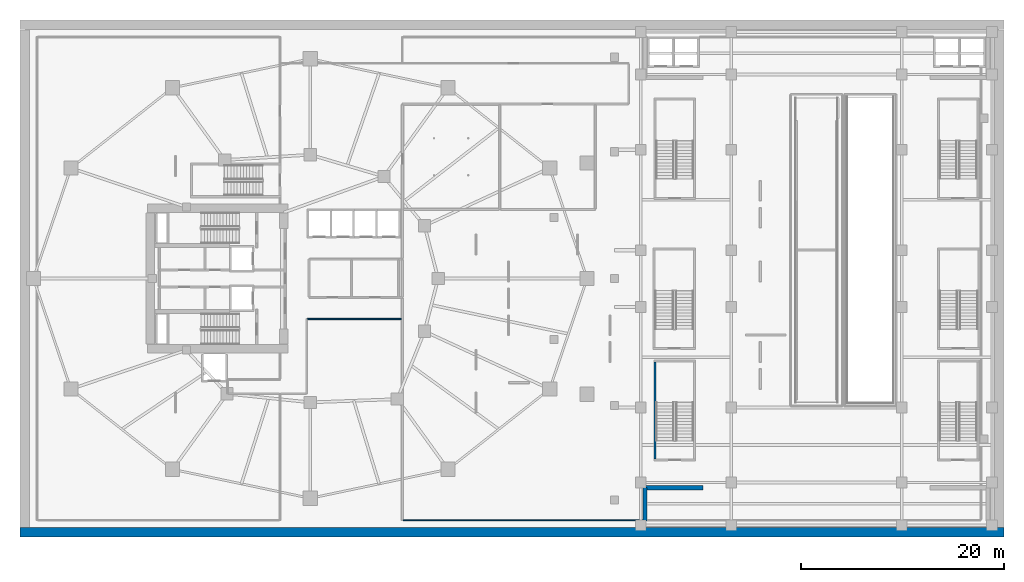
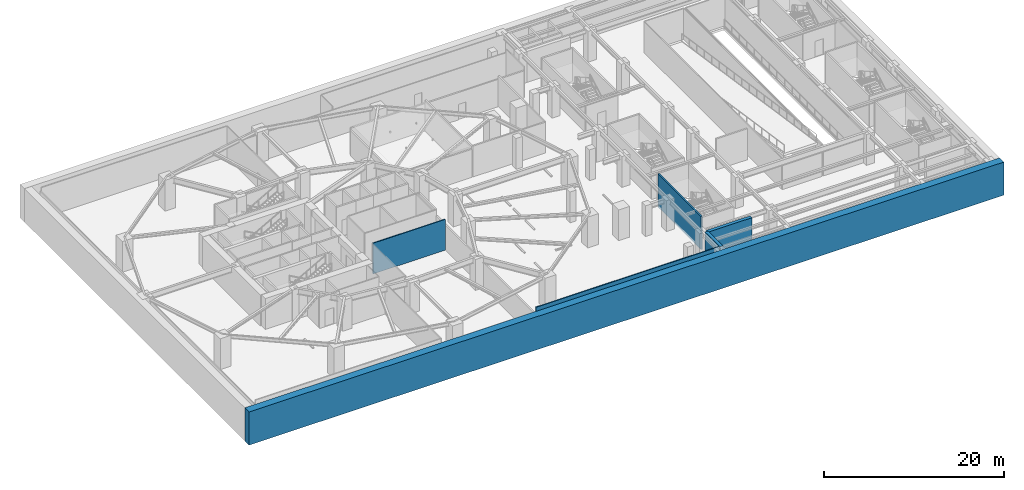
# One storey, part 6 of 16: 6 walls.
"""IFC4 building model written with IfcOpenShell, lengths in metres."""

from ifc_helpers import new_model, si_unit, direction, frame, frame_2d, origin, place, context, subcontext, project, spatial, rectangle, extrude, material, layer, layer_set, type_object, element, save


model = new_model("IFC4")

# Units and contexts
model_context = context("Model", 3, precision=1e-05, world=origin(), true_north=direction((0.0, 1.0)))
body_context = subcontext(model_context, "Body", "Model", "MODEL_VIEW")
ifc_project = project(units=[si_unit("LENGTHUNIT", "METRE"), si_unit("AREAUNIT", "SQUARE_METRE"), si_unit("VOLUMEUNIT", "CUBIC_METRE"), si_unit("PLANEANGLEUNIT", "RADIAN"), si_unit("MASSUNIT", "GRAM", prefix="KILO")], contexts=[model_context])

# Site, building, storey
site_placement = place(None, origin())
site = spatial("IfcSite", under=ifc_project, at=site_placement, CompositionType="ELEMENT")
building_placement = place(site_placement, origin())
building = spatial("IfcBuilding", under=site, at=building_placement, Name="Kolvaren Gate Tower and Convention Centre", CompositionType="ELEMENT")
storey_placement = place(building_placement, frame((0.0, 0.0, -9.0)))
storey = spatial("IfcBuildingStorey", under=building, at=storey_placement, Name="B2", CompositionType="ELEMENT", Elevation=-9.0)

# Walls
ifc_material_1 = material(Name="Fire-Rated Acoustic Gypsum Stud Partition", Category="gypsum")
ifc_layer_1 = layer(ifc_material_1, 0.1201171875)
ifc_layer_set_1 = layer_set([ifc_layer_1], Name="Fire-Rated Acoustic Gypsum Stud Partition")
wall_type_1 = type_object("IfcWallType", Name="ARCH-WL-PART-120", PredefinedType="PARTITIONING", material=ifc_layer_set_1)
wall_1_placement = place(storey_placement, frame((29.842041015625, 23.02001953125, 0.0), z_axis=(0.0, 0.0, 1.0), x_axis=(1.0, 0.0, 0.0)))
element("IfcWall", 1, at=wall_1_placement, inside=storey, type_object=wall_type_1, Name="Interior Partition WL-B2-INT-026", PredefinedType="PARTITIONING", context=body_context, shape_type="SweptSolid", body=[
    extrude(rectangle(XDim=9.265869140625, YDim=0.1201171875, at=frame_2d((4.6328125, 0.0))), origin(), (0.0, 0.0, 1.0), 4.179931640625),
])
wall_2_placement = place(storey_placement, frame((39.2919921875, 3.199951171875, 0.0), z_axis=(0.0, 0.0, 1.0), x_axis=(1.0, 0.0, 0.0)))
element("IfcWall", 2, at=wall_2_placement, inside=storey, type_object=wall_type_1, Name="Interior Partition WL-B2-INT-033", PredefinedType="PARTITIONING", context=body_context, shape_type="SweptSolid", body=[
    extrude(rectangle(XDim=23.595947265625, YDim=0.1201171875, at=frame_2d((11.7978515625, 0.0))), origin(), (0.0, 0.0, 1.0), 4.179931640625),
])
ifc_material_2 = material(Name="Concrete C50/60", Category="concrete")
ifc_layer_2 = layer(ifc_material_2, 0.419921875)
ifc_layer_set_2 = layer_set([ifc_layer_2], Name="Concrete C50/60")
wall_type_2 = type_object("IfcWallType", Name="STR-WL-CONV-420", PredefinedType="SHEAR", material=ifc_layer_set_2)
wall_3_placement = place(storey_placement, frame((63.10009765625, 3.10009765625, -0.320068359375), z_axis=(0.0, 0.0, 1.0), x_axis=(0.0, 1.0, 0.0)))
element("IfcWall", 3, at=wall_3_placement, inside=storey, type_object=wall_type_2, Name="Convention B2 Shear Core Wall CCSW-W", PredefinedType="SHEAR", context=body_context, shape_type="SweptSolid", body=[
    extrude(rectangle(XDim=3.2998046875, YDim=0.419921875, at=frame_2d((1.64990234375, 0.0))), origin(), (0.0, 0.0, 1.0), 4.5),
])
wall_4_placement = place(storey_placement, frame((63.10009765625, 6.39990234375, -0.320068359375), z_axis=(0.0, 0.0, 1.0), x_axis=(1.0, 0.0, 0.0)))
element("IfcWall", 4, at=wall_4_placement, inside=storey, type_object=wall_type_2, Name="Convention B2 Shear Core Wall CCSW-N", PredefinedType="SHEAR", context=body_context, shape_type="SweptSolid", body=[
    extrude(rectangle(XDim=5.699951171875, YDim=0.419921875, at=frame_2d((2.85009765625, 0.0))), origin(), (0.0, 0.0, 1.0), 4.5),
])
ifc_layer_3 = layer(ifc_material_2, 0.949951171875)
ifc_layer_set_3 = layer_set([ifc_layer_3], Name="Concrete C50/60")
wall_type_3 = type_object("IfcWallType", Name="STR-WL-DIAPH-950", PredefinedType="USERDEFINED", material=ifc_layer_set_3)
wall_5_placement = place(storey_placement, frame((1.52490234375, 2.0, -0.320068359375), z_axis=(0.0, 0.0, 1.0), x_axis=(1.0, 0.0, 0.0)))
element("IfcWall", 5, at=wall_5_placement, inside=storey, type_object=wall_type_3, Name="Basement B2 S Perimeter Diaphragm Wall", ObjectType="RETAINING WALL", PredefinedType="USERDEFINED", context=body_context, shape_type="SweptSolid", body=[
    extrude(rectangle(XDim=96.9501953125, YDim=0.949951171875, at=frame_2d((48.47509765625, 0.0))), origin(), (0.0, 0.0, 1.0), 4.5),
])
ifc_layer_4 = layer(ifc_material_2, 0.199951171875)
ifc_layer_set_4 = layer_set([ifc_layer_4], Name="Concrete C50/60")
wall_type_4 = type_object("IfcWallType", Name="STR-WL-SHAFT-200", PredefinedType="SHEAR", material=ifc_layer_set_4)
wall_6_placement = place(storey_placement, frame((64.10009765625, 9.201904296875, -0.320068359375), z_axis=(0.0, 0.0, 1.0), x_axis=(0.0, 1.0, 0.0)))
element("IfcWall", 6, at=wall_6_placement, inside=storey, type_object=wall_type_4, Name="Convention SW Exit Stair ST-C2 B2 Structural Shear Enclosure Wall WEST", PredefinedType="SHEAR", context=body_context, shape_type="SweptSolid", body=[
    extrude(rectangle(XDim=9.59619140625, YDim=0.199951171875, at=frame_2d((4.798095703125, 0.0))), origin(), (0.0, 0.0, 1.0), 4.5),
])

save(model, "model.ifc")
